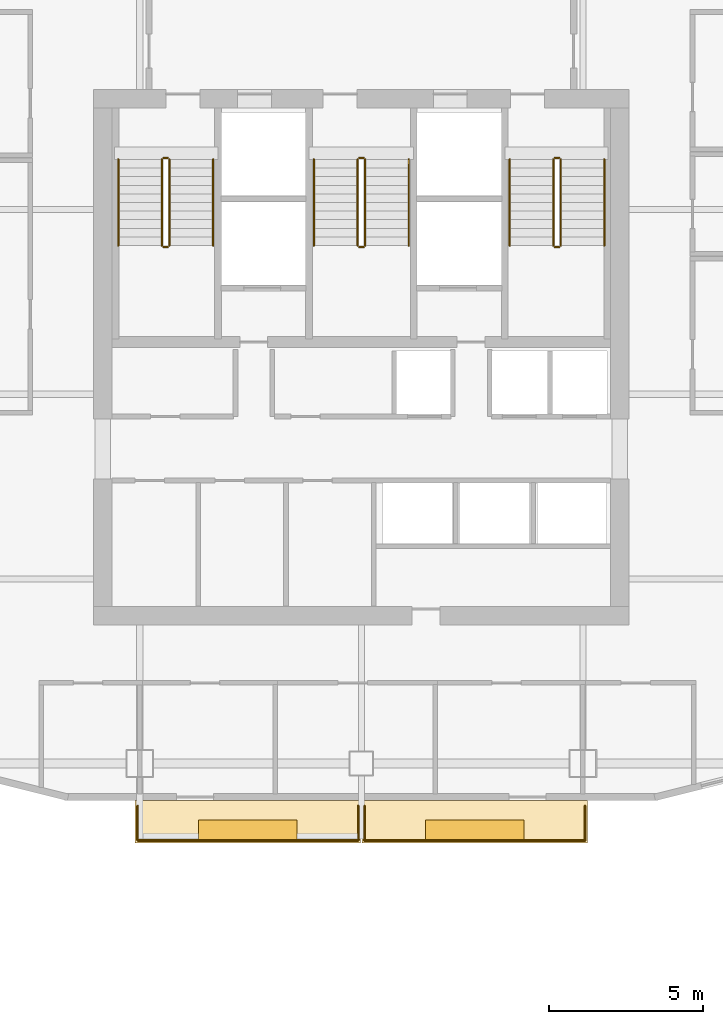
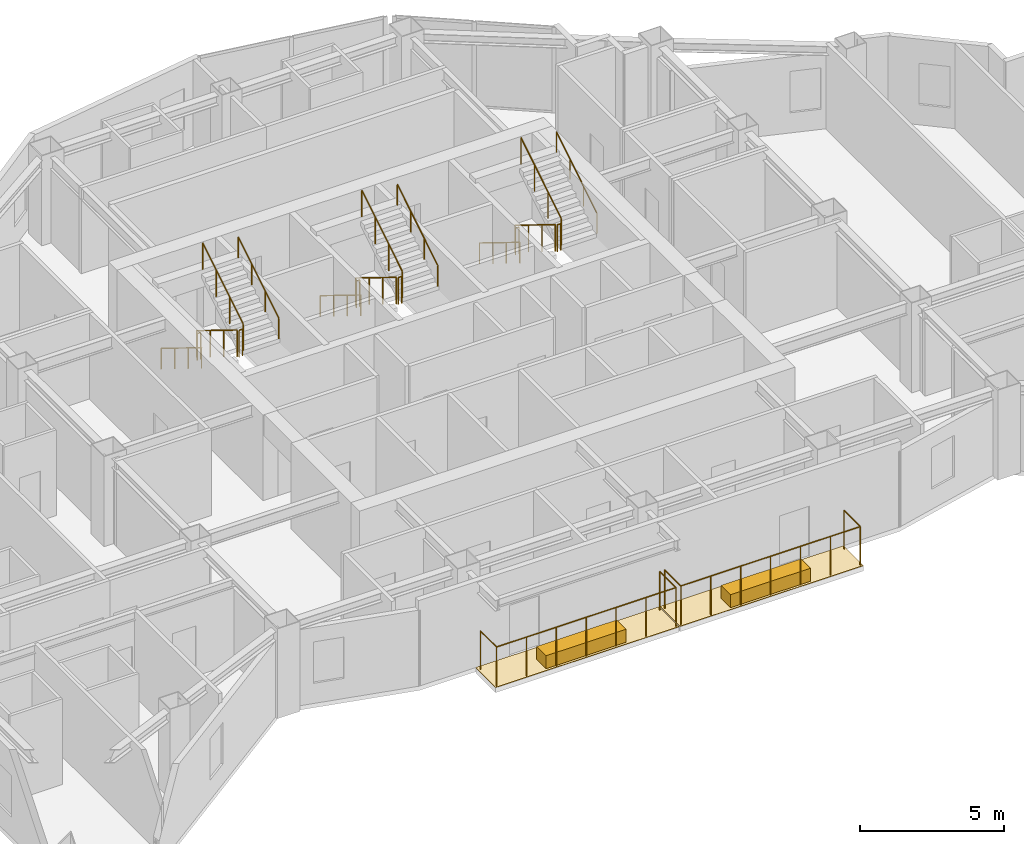
# One storey, part 11 of 11: 22 railings, 4 coverings.
"""IFC4 building model written with IfcOpenShell, lengths in metres."""

from ifc_helpers import new_model, si_unit, direction, frame, origin, origin_2d, place, context, subcontext, project, spatial, polyline, rectangle, circle, outline, extrude, material, layer, layer_set, type_object, element, save


model = new_model("IFC4")

# Units and contexts
model_context = context("Model", 3, precision=1e-05, world=origin(), true_north=direction((0.0, 1.0)))
body_context = subcontext(model_context, "Body", "Model", "MODEL_VIEW")
ifc_project = project(units=[si_unit("LENGTHUNIT", "METRE"), si_unit("AREAUNIT", "SQUARE_METRE"), si_unit("VOLUMEUNIT", "CUBIC_METRE"), si_unit("PLANEANGLEUNIT", "RADIAN"), si_unit("MASSUNIT", "GRAM", prefix="KILO")], contexts=[model_context])

# Site, building, storey
site_placement = place(None, origin())
site = spatial("IfcSite", under=ifc_project, at=site_placement, CompositionType="ELEMENT")
building_placement = place(site_placement, origin())
building = spatial("IfcBuilding", under=site, at=building_placement, Name="Haolan Belvedere Tower", CompositionType="ELEMENT")
storey_placement = place(building_placement, frame((0.0, 0.0, 215.39990234375)))
storey = spatial("IfcBuildingStorey", under=building, at=storey_placement, Name="L54", CompositionType="ELEMENT", Elevation=215.39990234375)

# Coverings
ifc_material_1 = material(Name="Engineered lightweight planted garden soil substrate", Category="masonry")
ifc_layer_1 = layer(ifc_material_1, 0.550048828125, Name="Engineered lightweight planted garden soil substrate")
ifc_layer_set_1 = layer_set([ifc_layer_1], Name="Engineered lightweight planted garden soil substrate")
covering_type_1 = type_object("IfcCoveringType", Name="COV-PLANT-550", PredefinedType="MEMBRANE", material=ifc_layer_set_1)
for number, where, z_axis, x_axis, name in (
    (1, (34.715087890625, 19.43994140625, 0.0), (0.0, 0.0, 1.0), (1.0, 0.0, 0.0), "L54 structural tree balcony PLANTER box 1"),
    (2, (42.0849609375, 19.43994140625, 0.0), (0.0, 0.0, 1.0), (1.0, 0.0, 0.0), "L54 structural tree balcony PLANTER box 2"),
):
    element("IfcCovering", number, at=place(storey_placement, frame(where, z_axis=z_axis, x_axis=x_axis)), inside=storey, type_object=covering_type_1, Name=name, PredefinedType="MEMBRANE", context=body_context, shape_type="SweptSolid", body=[
        extrude(rectangle(XDim=3.199951171875, YDim=0.64990234375, at=origin_2d()), origin(), (0.0, 0.0, 1.0), 0.550048828125),
    ])
ifc_material_2 = material(Name="Elastomeric waterproof roofing membrane and stone pavers", Category="masonry")
ifc_layer_2 = layer(ifc_material_2, 0.02001953125, Name="Elastomeric waterproof roofing membrane and stone pavers")
ifc_layer_set_2 = layer_set([ifc_layer_2], Name="Elastomeric waterproof roofing membrane and stone pavers")
covering_type_2 = type_object("IfcCoveringType", Name="COV-ROOF-20", PredefinedType="ROOFING", material=ifc_layer_set_2)
covering_1_placement = place(storey_placement, frame((0.0, 0.0, -0.02001953125)))
element("IfcCovering", 3, at=covering_1_placement, inside=storey, type_object=covering_type_2, Name="L54 tree-balcony waterproof membrane 1", PredefinedType="ROOFING", context=body_context, shape_type="SweptSolid", body=[
    extrude(outline(polyline([(31.050048828125, 19.02001953125), (38.3798828125, 19.02001953125), (38.3798828125, 20.39990234375), (31.050048828125, 20.39990234375), (31.050048828125, 19.02001953125)])), origin(), (0.0, 0.0, 1.0), 0.02001953125),
])
covering_2_placement = place(storey_placement, frame((0.0, 0.0, -0.02001953125)))
element("IfcCovering", 4, at=covering_2_placement, inside=storey, type_object=covering_type_2, Name="L54 tree-balcony waterproof membrane 2", PredefinedType="ROOFING", context=body_context, shape_type="SweptSolid", body=[
    extrude(outline(polyline([(38.419921875, 19.02001953125), (45.75, 19.02001953125), (45.75, 20.39990234375), (38.419921875, 20.39990234375), (38.419921875, 19.02001953125)])), origin(), (0.0, 0.0, 1.0), 0.02001953125),
])

# Railings
ifc_material_3 = material(Name="Brushed stainless steel 304", Category="steel")
railing_type_1 = type_object("IfcRailingType", Name="RL-STAIR-GRD-1150", PredefinedType="GUARDRAIL", material=ifc_material_3)
railing_1_placement = place(storey_placement, frame((31.919921875, 41.22998046875, 0.1728515625)))
element("IfcRailing", 5, at=railing_1_placement, inside=storey, type_object=railing_type_1, Name="L54 ST1 stair guard 1", PredefinedType="GUARDRAIL", context=body_context, shape_type="SweptSolid", body=[
    extrude(circle(Radius=0.02392578125, at=origin_2d()), frame((0.0, 0.0, 1.1259765625), z_axis=(0.0, -0.851089632645, 0.525020415988), x_axis=(1.0, 0.0, 0.0)), (0.0, 0.0, 1.0), 3.2900390625),
    extrude(circle(Radius=0.02099609375, at=origin_2d()), origin(), (0.0, 0.0, 1.0), 1.101806640625),
    extrude(circle(Radius=0.02099609375, at=origin_2d()), frame((0.0, -0.933349609375, 0.57568359375)), (0.0, 0.0, 1.0), 1.101806640625),
    extrude(circle(Radius=0.02099609375, at=origin_2d()), frame((0.0, -1.86669921875, 1.151611328125)), (0.0, 0.0, 1.0), 1.101806640625),
    extrude(circle(Radius=0.02099609375, at=origin_2d()), frame((0.0, -2.800048828125, 1.727294921875)), (0.0, 0.0, 1.0), 1.101806640625),
])
railing_2_placement = place(storey_placement, frame((31.969970703125, 38.3798828125, 1.900146484375)))
element("IfcRailing", 6, at=railing_2_placement, inside=storey, type_object=railing_type_1, Name="L54 ST1 stair guard 2", PredefinedType="GUARDRAIL", context=body_context, shape_type="SweptSolid", body=[
    extrude(circle(Radius=0.02392578125, at=origin_2d()), frame((0.0, 0.0, 1.1259765625), z_axis=(1.0, 0.0, 0.0), x_axis=(0.0, 1.0, 0.0)), (0.0, 0.0, 1.0), 0.14013671875),
    extrude(circle(Radius=0.02099609375, at=origin_2d()), origin(), (0.0, 0.0, 1.0), 1.101806640625),
    extrude(circle(Radius=0.02099609375, at=origin_2d()), frame((0.14013671875, 0.0, 0.0)), (0.0, 0.0, 1.0), 1.101806640625),
])
railing_3_placement = place(storey_placement, frame((32.159912109375, 38.429931640625, 2.07275390625)))
element("IfcRailing", 7, at=railing_3_placement, inside=storey, type_object=railing_type_1, Name="L54 ST1 stair guard 3", PredefinedType="GUARDRAIL", context=body_context, shape_type="SweptSolid", body=[
    extrude(circle(Radius=0.02392578125, at=origin_2d()), frame((0.0, 0.0, 1.1259765625), z_axis=(0.0, 0.851089632645, 0.525020415988), x_axis=(-1.0, 0.0, 0.0)), (0.0, 0.0, 1.0), 3.2900390625),
    extrude(circle(Radius=0.02099609375, at=origin_2d()), origin(), (0.0, 0.0, 1.0), 1.101806640625),
    extrude(circle(Radius=0.02099609375, at=origin_2d()), frame((0.0, 0.933349609375, 0.57568359375)), (0.0, 0.0, 1.0), 1.101806640625),
    extrude(circle(Radius=0.02099609375, at=origin_2d()), frame((0.0, 1.86669921875, 1.151611328125)), (0.0, 0.0, 1.0), 1.101806640625),
    extrude(circle(Radius=0.02099609375, at=origin_2d()), frame((0.0, 2.800048828125, 1.727294921875)), (0.0, 0.0, 1.0), 1.101806640625),
])
railing_4_placement = place(storey_placement, frame((31.969970703125, 41.280029296875, 0.0)))
element("IfcRailing", 8, at=railing_4_placement, inside=storey, type_object=railing_type_1, Name="L54 ST1 stair guard 4", PredefinedType="GUARDRAIL", context=body_context, shape_type="SweptSolid", body=[
    extrude(circle(Radius=0.02392578125, at=origin_2d()), frame((0.0, 0.0, 1.1259765625), z_axis=(1.0, 0.0, 0.0), x_axis=(0.0, 1.0, 0.0)), (0.0, 0.0, 1.0), 0.14013671875),
    extrude(circle(Radius=0.02099609375, at=origin_2d()), origin(), (0.0, 0.0, 1.0), 1.101806640625),
    extrude(circle(Radius=0.02099609375, at=origin_2d()), frame((0.14013671875, 0.0, 0.0)), (0.0, 0.0, 1.0), 1.101806640625),
])
railing_5_placement = place(storey_placement, frame((38.280029296875, 41.22998046875, 0.1728515625)))
element("IfcRailing", 9, at=railing_5_placement, inside=storey, type_object=railing_type_1, Name="L54 ST3 stair guard 1", PredefinedType="GUARDRAIL", context=body_context, shape_type="SweptSolid", body=[
    extrude(circle(Radius=0.02392578125, at=origin_2d()), frame((0.0, 0.0, 1.1259765625), z_axis=(0.0, -0.851089632645, 0.525020415988), x_axis=(1.0, 0.0, 0.0)), (0.0, 0.0, 1.0), 3.2900390625),
    extrude(circle(Radius=0.02099609375, at=origin_2d()), origin(), (0.0, 0.0, 1.0), 1.101806640625),
    extrude(circle(Radius=0.02099609375, at=origin_2d()), frame((0.0, -0.933349609375, 0.57568359375)), (0.0, 0.0, 1.0), 1.101806640625),
    extrude(circle(Radius=0.02099609375, at=origin_2d()), frame((0.0, -1.86669921875, 1.151611328125)), (0.0, 0.0, 1.0), 1.101806640625),
    extrude(circle(Radius=0.02099609375, at=origin_2d()), frame((0.0, -2.800048828125, 1.727294921875)), (0.0, 0.0, 1.0), 1.101806640625),
])
railing_6_placement = place(storey_placement, frame((38.330078125, 38.3798828125, 1.900146484375)))
element("IfcRailing", 10, at=railing_6_placement, inside=storey, type_object=railing_type_1, Name="L54 ST3 stair guard 2", PredefinedType="GUARDRAIL", context=body_context, shape_type="SweptSolid", body=[
    extrude(circle(Radius=0.02392578125, at=origin_2d()), frame((0.0, 0.0, 1.1259765625), z_axis=(1.0, 0.0, 0.0), x_axis=(0.0, 1.0, 0.0)), (0.0, 0.0, 1.0), 0.139892578125),
    extrude(circle(Radius=0.02099609375, at=origin_2d()), origin(), (0.0, 0.0, 1.0), 1.101806640625),
    extrude(circle(Radius=0.02099609375, at=origin_2d()), frame((0.139892578125, 0.0, 0.0)), (0.0, 0.0, 1.0), 1.101806640625),
])
railing_7_placement = place(storey_placement, frame((38.52001953125, 38.429931640625, 2.07275390625)))
element("IfcRailing", 11, at=railing_7_placement, inside=storey, type_object=railing_type_1, Name="L54 ST3 stair guard 3", PredefinedType="GUARDRAIL", context=body_context, shape_type="SweptSolid", body=[
    extrude(circle(Radius=0.02392578125, at=origin_2d()), frame((0.0, 0.0, 1.1259765625), z_axis=(0.0, 0.851089632645, 0.525020415988), x_axis=(-1.0, 0.0, 0.0)), (0.0, 0.0, 1.0), 3.2900390625),
    extrude(circle(Radius=0.02099609375, at=origin_2d()), origin(), (0.0, 0.0, 1.0), 1.101806640625),
    extrude(circle(Radius=0.02099609375, at=origin_2d()), frame((0.0, 0.933349609375, 0.57568359375)), (0.0, 0.0, 1.0), 1.101806640625),
    extrude(circle(Radius=0.02099609375, at=origin_2d()), frame((0.0, 1.86669921875, 1.151611328125)), (0.0, 0.0, 1.0), 1.101806640625),
    extrude(circle(Radius=0.02099609375, at=origin_2d()), frame((0.0, 2.800048828125, 1.727294921875)), (0.0, 0.0, 1.0), 1.101806640625),
])
railing_8_placement = place(storey_placement, frame((38.330078125, 41.280029296875, 0.0)))
element("IfcRailing", 12, at=railing_8_placement, inside=storey, type_object=railing_type_1, Name="L54 ST3 stair guard 4", PredefinedType="GUARDRAIL", context=body_context, shape_type="SweptSolid", body=[
    extrude(circle(Radius=0.02392578125, at=origin_2d()), frame((0.0, 0.0, 1.1259765625), z_axis=(1.0, 0.0, 0.0), x_axis=(0.0, 1.0, 0.0)), (0.0, 0.0, 1.0), 0.139892578125),
    extrude(circle(Radius=0.02099609375, at=origin_2d()), origin(), (0.0, 0.0, 1.0), 1.101806640625),
    extrude(circle(Radius=0.02099609375, at=origin_2d()), frame((0.139892578125, 0.0, 0.0)), (0.0, 0.0, 1.0), 1.101806640625),
])
railing_9_placement = place(storey_placement, frame((44.639892578125, 41.22998046875, 0.1728515625)))
element("IfcRailing", 13, at=railing_9_placement, inside=storey, type_object=railing_type_1, Name="L54 ST2 stair guard 1", PredefinedType="GUARDRAIL", context=body_context, shape_type="SweptSolid", body=[
    extrude(circle(Radius=0.02392578125, at=origin_2d()), frame((0.0, 0.0, 1.1259765625), z_axis=(0.0, -0.851089632645, 0.525020415988), x_axis=(1.0, 0.0, 0.0)), (0.0, 0.0, 1.0), 3.2900390625),
    extrude(circle(Radius=0.02099609375, at=origin_2d()), origin(), (0.0, 0.0, 1.0), 1.101806640625),
    extrude(circle(Radius=0.02099609375, at=origin_2d()), frame((0.0, -0.933349609375, 0.57568359375)), (0.0, 0.0, 1.0), 1.101806640625),
    extrude(circle(Radius=0.02099609375, at=origin_2d()), frame((0.0, -1.86669921875, 1.151611328125)), (0.0, 0.0, 1.0), 1.101806640625),
    extrude(circle(Radius=0.02099609375, at=origin_2d()), frame((0.0, -2.800048828125, 1.727294921875)), (0.0, 0.0, 1.0), 1.101806640625),
])
railing_10_placement = place(storey_placement, frame((44.68994140625, 38.3798828125, 1.900146484375)))
element("IfcRailing", 14, at=railing_10_placement, inside=storey, type_object=railing_type_1, Name="L54 ST2 stair guard 2", PredefinedType="GUARDRAIL", context=body_context, shape_type="SweptSolid", body=[
    extrude(circle(Radius=0.02392578125, at=origin_2d()), frame((0.0, 0.0, 1.1259765625), z_axis=(1.0, 0.0, 0.0), x_axis=(0.0, 1.0, 0.0)), (0.0, 0.0, 1.0), 0.14013671875),
    extrude(circle(Radius=0.02099609375, at=origin_2d()), origin(), (0.0, 0.0, 1.0), 1.101806640625),
    extrude(circle(Radius=0.02099609375, at=origin_2d()), frame((0.14013671875, 0.0, 0.0)), (0.0, 0.0, 1.0), 1.101806640625),
])
railing_11_placement = place(storey_placement, frame((44.8798828125, 38.429931640625, 2.07275390625)))
element("IfcRailing", 15, at=railing_11_placement, inside=storey, type_object=railing_type_1, Name="L54 ST2 stair guard 3", PredefinedType="GUARDRAIL", context=body_context, shape_type="SweptSolid", body=[
    extrude(circle(Radius=0.02392578125, at=origin_2d()), frame((0.0, 0.0, 1.1259765625), z_axis=(0.0, 0.851089632645, 0.525020415988), x_axis=(-1.0, 0.0, 0.0)), (0.0, 0.0, 1.0), 3.2900390625),
    extrude(circle(Radius=0.02099609375, at=origin_2d()), origin(), (0.0, 0.0, 1.0), 1.101806640625),
    extrude(circle(Radius=0.02099609375, at=origin_2d()), frame((0.0, 0.933349609375, 0.57568359375)), (0.0, 0.0, 1.0), 1.101806640625),
    extrude(circle(Radius=0.02099609375, at=origin_2d()), frame((0.0, 1.86669921875, 1.151611328125)), (0.0, 0.0, 1.0), 1.101806640625),
    extrude(circle(Radius=0.02099609375, at=origin_2d()), frame((0.0, 2.800048828125, 1.727294921875)), (0.0, 0.0, 1.0), 1.101806640625),
])
railing_12_placement = place(storey_placement, frame((44.68994140625, 41.280029296875, 0.0)))
element("IfcRailing", 16, at=railing_12_placement, inside=storey, type_object=railing_type_1, Name="L54 ST2 stair guard 4", PredefinedType="GUARDRAIL", context=body_context, shape_type="SweptSolid", body=[
    extrude(circle(Radius=0.02392578125, at=origin_2d()), frame((0.0, 0.0, 1.1259765625), z_axis=(1.0, 0.0, 0.0), x_axis=(0.0, 1.0, 0.0)), (0.0, 0.0, 1.0), 0.14013671875),
    extrude(circle(Radius=0.02099609375, at=origin_2d()), origin(), (0.0, 0.0, 1.0), 1.101806640625),
    extrude(circle(Radius=0.02099609375, at=origin_2d()), frame((0.14013671875, 0.0, 0.0)), (0.0, 0.0, 1.0), 1.101806640625),
])
railing_type_2 = type_object("IfcRailingType", Name="RL-STAIR-HND-900", PredefinedType="HANDRAIL", material=ifc_material_3)
railing_13_placement = place(storey_placement, frame((30.5, 41.22998046875, 0.1728515625)))
element("IfcRailing", 17, at=railing_13_placement, inside=storey, type_object=railing_type_2, Name="L54 ST1 stair handrail 1", PredefinedType="HANDRAIL", context=body_context, shape_type="SweptSolid", body=[
    extrude(circle(Radius=0.02392578125, at=origin_2d()), frame((0.0, 0.0, 0.8759765625), z_axis=(0.0, -0.851089632645, 0.525020415988), x_axis=(1.0, 0.0, 0.0)), (0.0, 0.0, 1.0), 3.2900390625),
    extrude(circle(Radius=0.02099609375, at=origin_2d()), origin(), (0.0, 0.0, 1.0), 0.851806640625),
    extrude(circle(Radius=0.02099609375, at=origin_2d()), frame((0.0, -0.933349609375, 0.57568359375)), (0.0, 0.0, 1.0), 0.851806640625),
    extrude(circle(Radius=0.02099609375, at=origin_2d()), frame((0.0, -1.86669921875, 1.151611328125)), (0.0, 0.0, 1.0), 0.851806640625),
    extrude(circle(Radius=0.02099609375, at=origin_2d()), frame((0.0, -2.800048828125, 1.727294921875)), (0.0, 0.0, 1.0), 0.851806640625),
])
railing_14_placement = place(storey_placement, frame((33.580078125, 38.429931640625, 2.07275390625)))
element("IfcRailing", 18, at=railing_14_placement, inside=storey, type_object=railing_type_2, Name="L54 ST1 stair handrail 2", PredefinedType="HANDRAIL", context=body_context, shape_type="SweptSolid", body=[
    extrude(circle(Radius=0.02392578125, at=origin_2d()), frame((0.0, 0.0, 0.8759765625), z_axis=(0.0, 0.851089632645, 0.525020415988), x_axis=(-1.0, 0.0, 0.0)), (0.0, 0.0, 1.0), 3.2900390625),
    extrude(circle(Radius=0.02099609375, at=origin_2d()), origin(), (0.0, 0.0, 1.0), 0.851806640625),
    extrude(circle(Radius=0.02099609375, at=origin_2d()), frame((0.0, 0.933349609375, 0.57568359375)), (0.0, 0.0, 1.0), 0.851806640625),
    extrude(circle(Radius=0.02099609375, at=origin_2d()), frame((0.0, 1.86669921875, 1.151611328125)), (0.0, 0.0, 1.0), 0.851806640625),
    extrude(circle(Radius=0.02099609375, at=origin_2d()), frame((0.0, 2.800048828125, 1.727294921875)), (0.0, 0.0, 1.0), 0.851806640625),
])
railing_15_placement = place(storey_placement, frame((36.860107421875, 41.22998046875, 0.1728515625)))
element("IfcRailing", 19, at=railing_15_placement, inside=storey, type_object=railing_type_2, Name="L54 ST3 stair handrail 1", PredefinedType="HANDRAIL", context=body_context, shape_type="SweptSolid", body=[
    extrude(circle(Radius=0.02392578125, at=origin_2d()), frame((0.0, 0.0, 0.8759765625), z_axis=(0.0, -0.851089632645, 0.525020415988), x_axis=(1.0, 0.0, 0.0)), (0.0, 0.0, 1.0), 3.2900390625),
    extrude(circle(Radius=0.02099609375, at=origin_2d()), origin(), (0.0, 0.0, 1.0), 0.851806640625),
    extrude(circle(Radius=0.02099609375, at=origin_2d()), frame((0.0, -0.933349609375, 0.57568359375)), (0.0, 0.0, 1.0), 0.851806640625),
    extrude(circle(Radius=0.02099609375, at=origin_2d()), frame((0.0, -1.86669921875, 1.151611328125)), (0.0, 0.0, 1.0), 0.851806640625),
    extrude(circle(Radius=0.02099609375, at=origin_2d()), frame((0.0, -2.800048828125, 1.727294921875)), (0.0, 0.0, 1.0), 0.851806640625),
])
railing_16_placement = place(storey_placement, frame((39.93994140625, 38.429931640625, 2.07275390625)))
element("IfcRailing", 20, at=railing_16_placement, inside=storey, type_object=railing_type_2, Name="L54 ST3 stair handrail 2", PredefinedType="HANDRAIL", context=body_context, shape_type="SweptSolid", body=[
    extrude(circle(Radius=0.02392578125, at=origin_2d()), frame((0.0, 0.0, 0.8759765625), z_axis=(0.0, 0.851089632645, 0.525020415988), x_axis=(-1.0, 0.0, 0.0)), (0.0, 0.0, 1.0), 3.2900390625),
    extrude(circle(Radius=0.02099609375, at=origin_2d()), origin(), (0.0, 0.0, 1.0), 0.851806640625),
    extrude(circle(Radius=0.02099609375, at=origin_2d()), frame((0.0, 0.933349609375, 0.57568359375)), (0.0, 0.0, 1.0), 0.851806640625),
    extrude(circle(Radius=0.02099609375, at=origin_2d()), frame((0.0, 1.86669921875, 1.151611328125)), (0.0, 0.0, 1.0), 0.851806640625),
    extrude(circle(Radius=0.02099609375, at=origin_2d()), frame((0.0, 2.800048828125, 1.727294921875)), (0.0, 0.0, 1.0), 0.851806640625),
])
railing_17_placement = place(storey_placement, frame((43.219970703125, 41.22998046875, 0.1728515625)))
element("IfcRailing", 21, at=railing_17_placement, inside=storey, type_object=railing_type_2, Name="L54 ST2 stair handrail 1", PredefinedType="HANDRAIL", context=body_context, shape_type="SweptSolid", body=[
    extrude(circle(Radius=0.02392578125, at=origin_2d()), frame((0.0, 0.0, 0.8759765625), z_axis=(0.0, -0.851089632645, 0.525020415988), x_axis=(1.0, 0.0, 0.0)), (0.0, 0.0, 1.0), 3.2900390625),
    extrude(circle(Radius=0.02099609375, at=origin_2d()), origin(), (0.0, 0.0, 1.0), 0.851806640625),
    extrude(circle(Radius=0.02099609375, at=origin_2d()), frame((0.0, -0.933349609375, 0.57568359375)), (0.0, 0.0, 1.0), 0.851806640625),
    extrude(circle(Radius=0.02099609375, at=origin_2d()), frame((0.0, -1.86669921875, 1.151611328125)), (0.0, 0.0, 1.0), 0.851806640625),
    extrude(circle(Radius=0.02099609375, at=origin_2d()), frame((0.0, -2.800048828125, 1.727294921875)), (0.0, 0.0, 1.0), 0.851806640625),
])
railing_18_placement = place(storey_placement, frame((46.300048828125, 38.429931640625, 2.07275390625)))
element("IfcRailing", 22, at=railing_18_placement, inside=storey, type_object=railing_type_2, Name="L54 ST2 stair handrail 2", PredefinedType="HANDRAIL", context=body_context, shape_type="SweptSolid", body=[
    extrude(circle(Radius=0.02392578125, at=origin_2d()), frame((0.0, 0.0, 0.8759765625), z_axis=(0.0, 0.851089632645, 0.525020415988), x_axis=(-1.0, 0.0, 0.0)), (0.0, 0.0, 1.0), 3.2900390625),
    extrude(circle(Radius=0.02099609375, at=origin_2d()), origin(), (0.0, 0.0, 1.0), 0.851806640625),
    extrude(circle(Radius=0.02099609375, at=origin_2d()), frame((0.0, 0.933349609375, 0.57568359375)), (0.0, 0.0, 1.0), 0.851806640625),
    extrude(circle(Radius=0.02099609375, at=origin_2d()), frame((0.0, 1.86669921875, 1.151611328125)), (0.0, 0.0, 1.0), 0.851806640625),
    extrude(circle(Radius=0.02099609375, at=origin_2d()), frame((0.0, 2.800048828125, 1.727294921875)), (0.0, 0.0, 1.0), 0.851806640625),
])
ifc_material_4 = material(Name="Anodised aluminium and laminated glass balustrade", Category="aluminium")
railing_type_3 = type_object("IfcRailingType", Name="RL-TER-BAL-1150", PredefinedType="BALUSTRADE", material=ifc_material_4)
railing_19_placement = place(storey_placement, frame((31.1298828125, 19.10009765625, 0.0)))
element("IfcRailing", 23, at=railing_19_placement, inside=storey, type_object=railing_type_3, Name="L54 outdoor perimeter balustrade BAL-L54-1-1", PredefinedType="BALUSTRADE", context=body_context, shape_type="SweptSolid", body=[
    extrude(circle(Radius=0.02392578125, at=origin_2d()), frame((0.0, 0.0, 1.6259765625), z_axis=(0.0, 1.0, 0.0), x_axis=(-1.0, 0.0, 0.0)), (0.0, 0.0, 1.0), 1.119873046875),
    extrude(circle(Radius=0.02099609375, at=origin_2d()), origin(), (0.0, 0.0, 1.0), 1.601806640625),
    extrude(circle(Radius=0.02099609375, at=origin_2d()), frame((0.0, 1.119873046875, 0.0)), (0.0, 0.0, 1.0), 1.601806640625),
])
railing_20_placement = place(storey_placement, frame((38.300048828125, 20.219970703125, 0.0)))
element("IfcRailing", 24, at=railing_20_placement, inside=storey, type_object=railing_type_3, Name="L54 outdoor perimeter balustrade BAL-L54-1-2", PredefinedType="BALUSTRADE", context=body_context, shape_type="SweptSolid", body=[
    extrude(circle(Radius=0.02392578125, at=origin_2d()), frame((0.0, 0.0, 1.6259765625), z_axis=(0.0, -1.0, 0.0), x_axis=(1.0, 0.0, 0.0)), (0.0, 0.0, 1.0), 1.119873046875),
    extrude(circle(Radius=0.02392578125, at=origin_2d()), frame((0.0, -1.119873046875, 1.6259765625), z_axis=(-1.0, 0.0, 0.0), x_axis=(0.0, -1.0, 0.0)), (0.0, 0.0, 1.0), 7.170166015625),
    extrude(circle(Radius=0.02099609375, at=origin_2d()), origin(), (0.0, 0.0, 1.0), 1.601806640625),
    extrude(circle(Radius=0.02099609375, at=origin_2d()), frame((0.0, -1.119873046875, 0.0)), (0.0, 0.0, 1.0), 1.601806640625),
    extrude(circle(Radius=0.02099609375, at=origin_2d()), frame((-1.195068359375, -1.119873046875, 0.0)), (0.0, 0.0, 1.0), 1.601806640625),
    extrude(circle(Radius=0.02099609375, at=origin_2d()), frame((-2.39013671875, -1.119873046875, 0.0)), (0.0, 0.0, 1.0), 1.601806640625),
    extrude(circle(Radius=0.02099609375, at=origin_2d()), frame((-3.5849609375, -1.119873046875, 0.0)), (0.0, 0.0, 1.0), 1.601806640625),
    extrude(circle(Radius=0.02099609375, at=origin_2d()), frame((-4.780029296875, -1.119873046875, 0.0)), (0.0, 0.0, 1.0), 1.601806640625),
    extrude(circle(Radius=0.02099609375, at=origin_2d()), frame((-5.97509765625, -1.119873046875, 0.0)), (0.0, 0.0, 1.0), 1.601806640625),
    extrude(circle(Radius=0.02099609375, at=origin_2d()), frame((-7.170166015625, -1.119873046875, 0.0)), (0.0, 0.0, 1.0), 1.601806640625),
])
railing_21_placement = place(storey_placement, frame((38.5, 19.10009765625, 0.0)))
element("IfcRailing", 25, at=railing_21_placement, inside=storey, type_object=railing_type_3, Name="L54 outdoor perimeter balustrade BAL-L54-2-1", PredefinedType="BALUSTRADE", context=body_context, shape_type="SweptSolid", body=[
    extrude(circle(Radius=0.02392578125, at=origin_2d()), frame((0.0, 0.0, 1.6259765625), z_axis=(0.0, 1.0, 0.0), x_axis=(-1.0, 0.0, 0.0)), (0.0, 0.0, 1.0), 1.119873046875),
    extrude(circle(Radius=0.02099609375, at=origin_2d()), origin(), (0.0, 0.0, 1.0), 1.601806640625),
    extrude(circle(Radius=0.02099609375, at=origin_2d()), frame((0.0, 1.119873046875, 0.0)), (0.0, 0.0, 1.0), 1.601806640625),
])
railing_22_placement = place(storey_placement, frame((45.669921875, 20.219970703125, 0.0)))
element("IfcRailing", 26, at=railing_22_placement, inside=storey, type_object=railing_type_3, Name="L54 outdoor perimeter balustrade BAL-L54-2-2", PredefinedType="BALUSTRADE", context=body_context, shape_type="SweptSolid", body=[
    extrude(circle(Radius=0.02392578125, at=origin_2d()), frame((0.0, 0.0, 1.6259765625), z_axis=(0.0, -1.0, 0.0), x_axis=(1.0, 0.0, 0.0)), (0.0, 0.0, 1.0), 1.119873046875),
    extrude(circle(Radius=0.02392578125, at=origin_2d()), frame((0.0, -1.119873046875, 1.6259765625), z_axis=(-1.0, 0.0, 0.0), x_axis=(0.0, -1.0, 0.0)), (0.0, 0.0, 1.0), 7.169921875),
    extrude(circle(Radius=0.02099609375, at=origin_2d()), origin(), (0.0, 0.0, 1.0), 1.601806640625),
    extrude(circle(Radius=0.02099609375, at=origin_2d()), frame((0.0, -1.119873046875, 0.0)), (0.0, 0.0, 1.0), 1.601806640625),
    extrude(circle(Radius=0.02099609375, at=origin_2d()), frame((-1.195068359375, -1.119873046875, 0.0)), (0.0, 0.0, 1.0), 1.601806640625),
    extrude(circle(Radius=0.02099609375, at=origin_2d()), frame((-2.389892578125, -1.119873046875, 0.0)), (0.0, 0.0, 1.0), 1.601806640625),
    extrude(circle(Radius=0.02099609375, at=origin_2d()), frame((-3.5849609375, -1.119873046875, 0.0)), (0.0, 0.0, 1.0), 1.601806640625),
    extrude(circle(Radius=0.02099609375, at=origin_2d()), frame((-4.780029296875, -1.119873046875, 0.0)), (0.0, 0.0, 1.0), 1.601806640625),
    extrude(circle(Radius=0.02099609375, at=origin_2d()), frame((-5.974853515625, -1.119873046875, 0.0)), (0.0, 0.0, 1.0), 1.601806640625),
    extrude(circle(Radius=0.02099609375, at=origin_2d()), frame((-7.169921875, -1.119873046875, 0.0)), (0.0, 0.0, 1.0), 1.601806640625),
])

save(model, "model.ifc")
